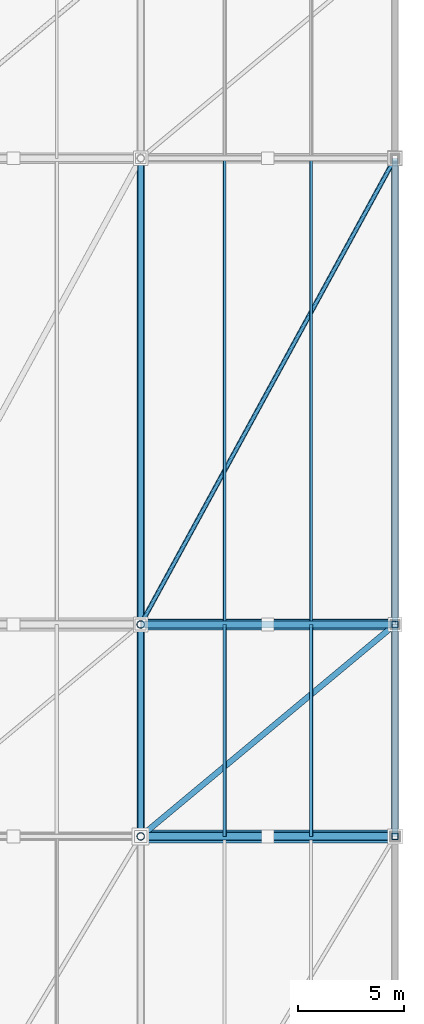
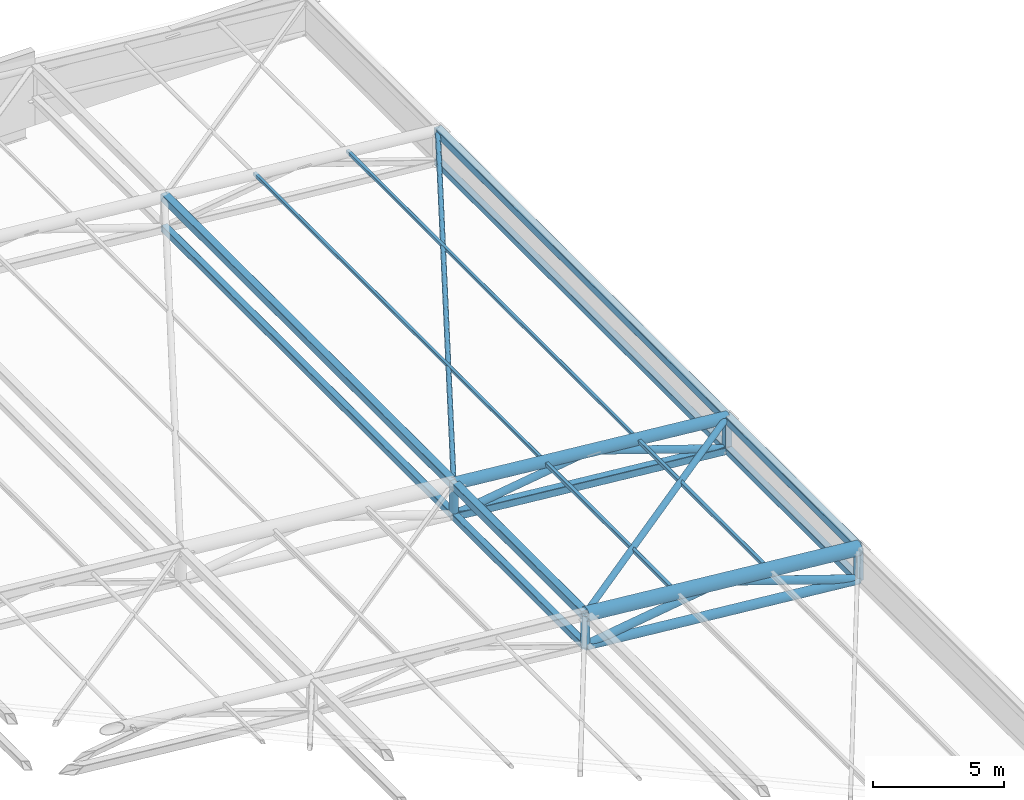
# One storey, part 36 of 44: 26 members.
"""IFC4 building model written with IfcOpenShell, lengths in metres."""

from ifc_helpers import new_model, si_unit, direction, frame, origin, origin_2d, place, context, subcontext, project, spatial, hollow_rectangle, hollow_circle, extrude, material, material_profile, profile_set, type_object, element, save


model = new_model("IFC4")

# Units and contexts
model_context = context("Model", 3, precision=1e-05, world=origin(), true_north=direction((0.0, 1.0)))
body_context = subcontext(model_context, "Body", "Model", "MODEL_VIEW")
ifc_project = project(units=[si_unit("LENGTHUNIT", "METRE"), si_unit("AREAUNIT", "SQUARE_METRE"), si_unit("VOLUMEUNIT", "CUBIC_METRE"), si_unit("PLANEANGLEUNIT", "RADIAN"), si_unit("MASSUNIT", "GRAM", prefix="KILO")], contexts=[model_context])

# Site, building, storey
site_placement = place(None, origin())
site = spatial("IfcSite", under=ifc_project, at=site_placement, CompositionType="ELEMENT")
building_placement = place(site_placement, origin())
building = spatial("IfcBuilding", under=site, at=building_placement, Name="Brinegate Civic Arena", CompositionType="ELEMENT")
storey_placement = place(building_placement, frame((0.0, 0.0, 29.39990234375)))
storey = spatial("IfcBuildingStorey", under=building, at=storey_placement, Name="RF", CompositionType="ELEMENT", Elevation=29.39990234375)

# Members
ifc_material = material(Name="Steel S355", Category="steel")
ifc_material_profile_1 = material_profile(ifc_material, hollow_rectangle(XDim=0.139892578125, YDim=0.139892578125, WallThickness=0.008056640625, InnerFilletRadius=0.008056640625, OuterFilletRadius=0.01611328125, at=origin_2d()), Name="SHS140X8")
ifc_profile_set_1 = profile_set([ifc_material_profile_1], Name="Steel S355")
member_type_1 = type_object("IfcMemberType", Name="RF-PURLIN-SHS140", PredefinedType="PURLIN", material=ifc_profile_set_1)
for number, where, z_axis, x_axis, name in (
    (1, (147.9599609375, 82.0, 2.34912109375), (0.0, 1.0, 0.0), (-1.0, 0.0, 0.0), "Roof Purlin RFP-107"),
    (2, (152.0400390625, 82.0, 1.966064453125), (0.0, 1.0, 0.0), (-1.0, 0.0, 0.0), "Roof Purlin RFP-108"),
):
    element("IfcMember", number, at=place(storey_placement, frame(where, z_axis=z_axis, x_axis=x_axis)), inside=storey, type_object=member_type_1, Name=name, PredefinedType="PURLIN", context=body_context, shape_type="SweptSolid", body=[
        extrude(hollow_rectangle(XDim=0.139892578125, YDim=0.139892578125, WallThickness=0.008056640625, InnerFilletRadius=0.008056640625, OuterFilletRadius=0.01611328125, at=origin_2d()), origin(), (0.0, 0.0, 1.0), 22.0),
    ])
ifc_material_profile_2 = material_profile(ifc_material, hollow_rectangle(XDim=0.159912109375, YDim=0.159912109375, WallThickness=0.008056640625, InnerFilletRadius=0.008056640625, OuterFilletRadius=0.01611328125, at=origin_2d()), Name="SHS160X8")
ifc_profile_set_2 = profile_set([ifc_material_profile_2], Name="Steel S355")
member_type_2 = type_object("IfcMemberType", Name="RF-PURLIN-SHS160", PredefinedType="PURLIN", material=ifc_profile_set_2)
for number, where, z_axis, x_axis, name in (
    (3, (147.9599609375, 72.0, 2.339111328125), (0.0, 1.0, 0.0), (-1.0, 0.0, 0.0), "Roof Purlin RFP-089"),
    (4, (152.0400390625, 72.0, 1.9560546875), (0.0, 1.0, 0.0), (-1.0, 0.0, 0.0), "Roof Purlin RFP-090"),
):
    element("IfcMember", number, at=place(storey_placement, frame(where, z_axis=z_axis, x_axis=x_axis)), inside=storey, type_object=member_type_2, Name=name, PredefinedType="PURLIN", context=body_context, shape_type="SweptSolid", body=[
        extrude(hollow_rectangle(XDim=0.159912109375, YDim=0.159912109375, WallThickness=0.008056640625, InnerFilletRadius=0.008056640625, OuterFilletRadius=0.01611328125, at=origin_2d()), origin(), (0.0, 0.0, 1.0), 10.0),
    ])
ifc_material_profile_3 = material_profile(ifc_material, hollow_circle(Radius=0.109619140625, WallThickness=0.010009765625, at=origin_2d()), Name="CHS219X10")
ifc_profile_set_3 = profile_set([ifc_material_profile_3], Name="Steel S355")
member_type_3 = type_object("IfcMemberType", Name="SF-BRACE-CHS219", PredefinedType="BRACE", material=ifc_profile_set_3)
member_1_placement = place(storey_placement, frame((144.0, 82.0, 2.675048828125), z_axis=(0.478370337109, 0.877012284699, -0.044847219104), x_axis=(-0.877895572914, 0.478852130681, 0.0)))
element("IfcMember", 5, at=member_1_placement, inside=storey, type_object=member_type_3, Name="Roof Plan Diagonal Brace PL-6-9", PredefinedType="BRACE", context=body_context, shape_type="SweptSolid", body=[
    extrude(hollow_circle(Radius=0.109619140625, WallThickness=0.010009765625, at=origin_2d()), origin(), (0.0, 0.0, 1.0), 25.085205078125),
])
ifc_material_profile_4 = material_profile(ifc_material, hollow_circle(Radius=0.136474609375, WallThickness=0.011962890625, at=origin_2d()), Name="CHS273X12")
ifc_profile_set_4 = profile_set([ifc_material_profile_4], Name="Steel S355")
member_type_4 = type_object("IfcMemberType", Name="SF-BRACE-CHS273", PredefinedType="BRACE", material=ifc_profile_set_4)
member_2_placement = place(storey_placement, frame((144.0, 72.0, 2.675048828125), z_axis=(0.766236619907, 0.638530516589, -0.071834683116), x_axis=(-0.640184399664, 0.768221279597, 0.0)))
element("IfcMember", 6, at=member_2_placement, inside=storey, type_object=member_type_4, Name="Roof Plan Diagonal Brace PL-5-9", PredefinedType="BRACE", context=body_context, shape_type="SweptSolid", body=[
    extrude(hollow_circle(Radius=0.136474609375, WallThickness=0.011962890625, at=origin_2d()), origin(), (0.0, 0.0, 1.0), 15.660888671875),
])
ifc_material_profile_5 = material_profile(ifc_material, hollow_circle(Radius=0.162109375, WallThickness=0.011962890625, at=origin_2d()), Name="CHS324X12")
ifc_profile_set_5 = profile_set([ifc_material_profile_5], Name="Steel S355")
member_type_5 = type_object("IfcMemberType", Name="SF-BRACE-CHS324", PredefinedType="BRACE", material=ifc_profile_set_5)
member_3_placement = place(storey_placement, frame((144.0, 82.0, 1.22509765625), z_axis=(0.989226142737, 0.0, 0.1463954867), x_axis=(0.0, 1.0, 0.0)))
element("IfcMember", 7, at=member_3_placement, inside=storey, type_object=member_type_5, Name="Space Frame Web Brace D1-6-9", PredefinedType="BRACE", context=body_context, shape_type="SweptSolid", body=[
    extrude(hollow_circle(Radius=0.162109375, WallThickness=0.011962890625, at=origin_2d()), origin(), (0.0, 0.0, 1.0), 6.0654296875),
])
member_4_placement = place(storey_placement, frame((150.0, 82.0, 2.113037109375), z_axis=(0.948068139281, 0.0, -0.318067293635), x_axis=(0.0, 1.0, 0.0)))
element("IfcMember", 8, at=member_4_placement, inside=storey, type_object=member_type_5, Name="Space Frame Web Brace D2-6-9", PredefinedType="BRACE", context=body_context, shape_type="SweptSolid", body=[
    extrude(hollow_circle(Radius=0.162109375, WallThickness=0.011962890625, at=origin_2d()), origin(), (0.0, 0.0, 1.0), 6.32861328125),
])
ifc_material_profile_6 = material_profile(ifc_material, hollow_circle(Radius=0.177978515625, WallThickness=0.013916015625, at=origin_2d()), Name="CHS356X14")
ifc_profile_set_6 = profile_set([ifc_material_profile_6], Name="Steel S355")
member_type_6 = type_object("IfcMemberType", Name="SF-BRACE-CHS356", PredefinedType="BRACE", material=ifc_profile_set_6)
member_5_placement = place(storey_placement, frame((144.0, 72.0, 1.22509765625), z_axis=(0.989226142737, 0.0, 0.1463954867), x_axis=(0.0, 1.0, 0.0)))
element("IfcMember", 9, at=member_5_placement, inside=storey, type_object=member_type_6, Name="Space Frame Web Brace D1-5-9", PredefinedType="BRACE", context=body_context, shape_type="SweptSolid", body=[
    extrude(hollow_circle(Radius=0.177978515625, WallThickness=0.013916015625, at=origin_2d()), origin(), (0.0, 0.0, 1.0), 6.0654296875),
])
member_6_placement = place(storey_placement, frame((150.0, 72.0, 2.113037109375), z_axis=(0.948068139281, 0.0, -0.318067293635), x_axis=(0.0, 1.0, 0.0)))
element("IfcMember", 10, at=member_6_placement, inside=storey, type_object=member_type_6, Name="Space Frame Web Brace D2-5-9", PredefinedType="BRACE", context=body_context, shape_type="SweptSolid", body=[
    extrude(hollow_circle(Radius=0.177978515625, WallThickness=0.013916015625, at=origin_2d()), origin(), (0.0, 0.0, 1.0), 6.32861328125),
])
ifc_material_profile_7 = material_profile(ifc_material, hollow_circle(Radius=0.202880859375, WallThickness=0.01611328125, at=origin_2d()), Name="CHS406X16")
ifc_profile_set_7 = profile_set([ifc_material_profile_7], Name="Steel S355")
member_type_7 = type_object("IfcMemberType", Name="SF-CHORD-CHS406", PredefinedType="CHORD", material=ifc_profile_set_7)
member_7_placement = place(storey_placement, frame((144.0, 72.0, 1.22509765625), z_axis=(0.995634226059, 0.0, -0.093340708693), x_axis=(0.0, 1.0, 0.0)))
element("IfcMember", 11, at=member_7_placement, inside=storey, type_object=member_type_7, Name="Space Frame Bottom Chord BX-5-9", PredefinedType="CHORD", context=body_context, shape_type="SweptSolid", body=[
    extrude(hollow_circle(Radius=0.202880859375, WallThickness=0.01611328125, at=origin_2d()), origin(), (0.0, 0.0, 1.0), 12.052734375),
])
ifc_material_profile_8 = material_profile(ifc_material, hollow_circle(Radius=0.25390625, WallThickness=0.02001953125, at=origin_2d()), Name="CHS508X20")
ifc_profile_set_8 = profile_set([ifc_material_profile_8], Name="Steel S355")
member_type_8 = type_object("IfcMemberType", Name="SF-CHORD-CHS508", PredefinedType="CHORD", material=ifc_profile_set_8)
member_8_placement = place(storey_placement, frame((144.0, 82.0, 2.675048828125), z_axis=(0.995634226059, 0.0, -0.093340708693), x_axis=(0.0, 1.0, 0.0)))
element("IfcMember", 12, at=member_8_placement, inside=storey, type_object=member_type_8, Name="Space Frame Top Chord TX-6-9", PredefinedType="CHORD", context=body_context, shape_type="SweptSolid", body=[
    extrude(hollow_circle(Radius=0.25390625, WallThickness=0.02001953125, at=origin_2d()), origin(), (0.0, 0.0, 1.0), 12.052734375),
])
ifc_material_profile_9 = material_profile(ifc_material, hollow_circle(Radius=0.304931640625, WallThickness=0.02490234375, at=origin_2d()), Name="CHS610X25")
ifc_profile_set_9 = profile_set([ifc_material_profile_9], Name="Steel S355")
member_type_9 = type_object("IfcMemberType", Name="SF-CHORD-CHS610", PredefinedType="CHORD", material=ifc_profile_set_9)
member_9_placement = place(storey_placement, frame((144.0, 72.0, 2.675048828125), z_axis=(0.995634226059, 0.0, -0.093340708693), x_axis=(0.0, 1.0, 0.0)))
element("IfcMember", 13, at=member_9_placement, inside=storey, type_object=member_type_9, Name="Space Frame Top Chord TX-5-9", PredefinedType="CHORD", context=body_context, shape_type="SweptSolid", body=[
    extrude(hollow_circle(Radius=0.304931640625, WallThickness=0.02490234375, at=origin_2d()), origin(), (0.0, 0.0, 1.0), 12.052734375),
])
ifc_material_profile_10 = material_profile(ifc_material, hollow_rectangle(XDim=0.300048828125, YDim=0.300048828125, WallThickness=0.01611328125, InnerFilletRadius=0.01611328125, OuterFilletRadius=0.031982421875, at=origin_2d()), Name="SHS300X16")
ifc_profile_set_10 = profile_set([ifc_material_profile_10], Name="Steel S355")
member_type_10 = type_object("IfcMemberType", Name="SF-CHORD-SHS300", PredefinedType="CHORD", material=ifc_profile_set_10)
for number, where, z_axis, x_axis, name in (
    (14, (144.0, 72.0, 1.22509765625), (0.0, 1.0, 0.0), (-1.0, 0.0, 0.0), "Space Frame Cross Bottom Chord BY-5-9"),
    (15, (156.0, 72.0, 0.10009765625), (0.0, 1.0, 0.0), (-1.0, 0.0, 0.0), "Space Frame Cross Bottom Chord BY-5-10"),
):
    element("IfcMember", number, at=place(storey_placement, frame(where, z_axis=z_axis, x_axis=x_axis)), inside=storey, type_object=member_type_10, Name=name, PredefinedType="CHORD", context=body_context, shape_type="SweptSolid", body=[
        extrude(hollow_rectangle(XDim=0.300048828125, YDim=0.300048828125, WallThickness=0.01611328125, InnerFilletRadius=0.01611328125, OuterFilletRadius=0.031982421875, at=origin_2d()), origin(), (0.0, 0.0, 1.0), 10.0),
    ])
for number, where, z_axis, x_axis, name in (
    (16, (144.0, 82.0, 1.22509765625), (0.0, 1.0, 0.0), (-1.0, 0.0, 0.0), "Space Frame Cross Bottom Chord BY-6-9"),
    (17, (156.0, 82.0, 0.10009765625), (0.0, 1.0, 0.0), (-1.0, 0.0, 0.0), "Space Frame Cross Bottom Chord BY-6-10"),
):
    element("IfcMember", number, at=place(storey_placement, frame(where, z_axis=z_axis, x_axis=x_axis)), inside=storey, type_object=member_type_10, Name=name, PredefinedType="CHORD", context=body_context, shape_type="SweptSolid", body=[
        extrude(hollow_rectangle(XDim=0.300048828125, YDim=0.300048828125, WallThickness=0.01611328125, InnerFilletRadius=0.01611328125, OuterFilletRadius=0.031982421875, at=origin_2d()), origin(), (0.0, 0.0, 1.0), 22.0),
    ])
ifc_material_profile_11 = material_profile(ifc_material, hollow_rectangle(XDim=0.35009765625, YDim=0.35009765625, WallThickness=0.01611328125, InnerFilletRadius=0.01611328125, OuterFilletRadius=0.031982421875, at=origin_2d()), Name="SHS350X16")
ifc_profile_set_11 = profile_set([ifc_material_profile_11], Name="Steel S355")
member_type_11 = type_object("IfcMemberType", Name="SF-CHORD-SHS350", PredefinedType="CHORD", material=ifc_profile_set_11)
member_10_placement = place(storey_placement, frame((144.0, 82.0, 1.22509765625), z_axis=(0.995634226059, 0.0, -0.093340708693), x_axis=(0.0, 1.0, 0.0)))
element("IfcMember", 18, at=member_10_placement, inside=storey, type_object=member_type_11, Name="Space Frame Bottom Chord BX-6-9", PredefinedType="CHORD", context=body_context, shape_type="SweptSolid", body=[
    extrude(hollow_rectangle(XDim=0.35009765625, YDim=0.35009765625, WallThickness=0.01611328125, InnerFilletRadius=0.01611328125, OuterFilletRadius=0.031982421875, at=origin_2d()), origin(), (0.0, 0.0, 1.0), 12.052734375),
])
for number, where, z_axis, x_axis, name in (
    (19, (144.0, 72.0, 2.675048828125), (0.0, 1.0, 0.0), (-1.0, 0.0, 0.0), "Space Frame Cross Top Chord TY-5-9"),
    (20, (156.0, 72.0, 1.550048828125), (0.0, 1.0, 0.0), (-1.0, 0.0, 0.0), "Space Frame Cross Top Chord TY-5-10"),
):
    element("IfcMember", number, at=place(storey_placement, frame(where, z_axis=z_axis, x_axis=x_axis)), inside=storey, type_object=member_type_11, Name=name, PredefinedType="CHORD", context=body_context, shape_type="SweptSolid", body=[
        extrude(hollow_rectangle(XDim=0.35009765625, YDim=0.35009765625, WallThickness=0.01611328125, InnerFilletRadius=0.01611328125, OuterFilletRadius=0.031982421875, at=origin_2d()), origin(), (0.0, 0.0, 1.0), 10.0),
    ])
for number, where, z_axis, x_axis, name in (
    (21, (144.0, 82.0, 2.675048828125), (0.0, 1.0, 0.0), (-1.0, 0.0, 0.0), "Space Frame Cross Top Chord TY-6-9"),
    (22, (156.0, 82.0, 1.550048828125), (0.0, 1.0, 0.0), (-1.0, 0.0, 0.0), "Space Frame Cross Top Chord TY-6-10"),
):
    element("IfcMember", number, at=place(storey_placement, frame(where, z_axis=z_axis, x_axis=x_axis)), inside=storey, type_object=member_type_11, Name=name, PredefinedType="CHORD", context=body_context, shape_type="SweptSolid", body=[
        extrude(hollow_rectangle(XDim=0.35009765625, YDim=0.35009765625, WallThickness=0.01611328125, InnerFilletRadius=0.01611328125, OuterFilletRadius=0.031982421875, at=origin_2d()), origin(), (0.0, 0.0, 1.0), 22.0),
    ])
ifc_material_profile_12 = material_profile(ifc_material, hollow_circle(Radius=0.177978515625, WallThickness=0.013916015625, at=origin_2d()), Name="CHS356X14")
ifc_profile_set_12 = profile_set([ifc_material_profile_12], Name="Steel S355")
member_type_12 = type_object("IfcMemberType", Name="SF-STRUT-CHS356", PredefinedType="STRUT", material=ifc_profile_set_12)
for number, where, z_axis, x_axis, name in (
    (23, (144.0, 72.0, 1.22509765625), (0.0, 0.0, 1.0), (1.0, 0.0, 0.0), "Space Frame Vertical Post V-5-9"),
    (24, (144.0, 82.0, 1.22509765625), (0.0, 0.0, 1.0), (1.0, 0.0, 0.0), "Space Frame Vertical Post V-6-9"),
):
    element("IfcMember", number, at=place(storey_placement, frame(where, z_axis=z_axis, x_axis=x_axis)), inside=storey, type_object=member_type_12, Name=name, PredefinedType="STRUT", context=body_context, shape_type="SweptSolid", body=[
        extrude(hollow_circle(Radius=0.177978515625, WallThickness=0.013916015625, at=origin_2d()), origin(), (0.0, 0.0, 1.0), 1.449951171875),
    ])
ifc_material_profile_13 = material_profile(ifc_material, hollow_rectangle(XDim=0.300048828125, YDim=0.300048828125, WallThickness=0.01611328125, InnerFilletRadius=0.01611328125, OuterFilletRadius=0.031982421875, at=origin_2d()), Name="SHS300X16")
ifc_profile_set_13 = profile_set([ifc_material_profile_13], Name="Steel S355")
member_type_13 = type_object("IfcMemberType", Name="SF-STRUT-SHS300", PredefinedType="STRUT", material=ifc_profile_set_13)
for number, where, z_axis, x_axis, name in (
    (25, (156.0, 72.0, 0.10009765625), (0.0, 0.0, 1.0), (1.0, 0.0, 0.0), "Space Frame Vertical Post V-5-10"),
    (26, (156.0, 82.0, 0.10009765625), (0.0, 0.0, 1.0), (1.0, 0.0, 0.0), "Space Frame Vertical Post V-6-10"),
):
    element("IfcMember", number, at=place(storey_placement, frame(where, z_axis=z_axis, x_axis=x_axis)), inside=storey, type_object=member_type_13, Name=name, PredefinedType="STRUT", context=body_context, shape_type="SweptSolid", body=[
        extrude(hollow_rectangle(XDim=0.300048828125, YDim=0.300048828125, WallThickness=0.01611328125, InnerFilletRadius=0.01611328125, OuterFilletRadius=0.031982421875, at=origin_2d()), origin(), (0.0, 0.0, 1.0), 1.449951171875),
    ])

save(model, "model.ifc")
